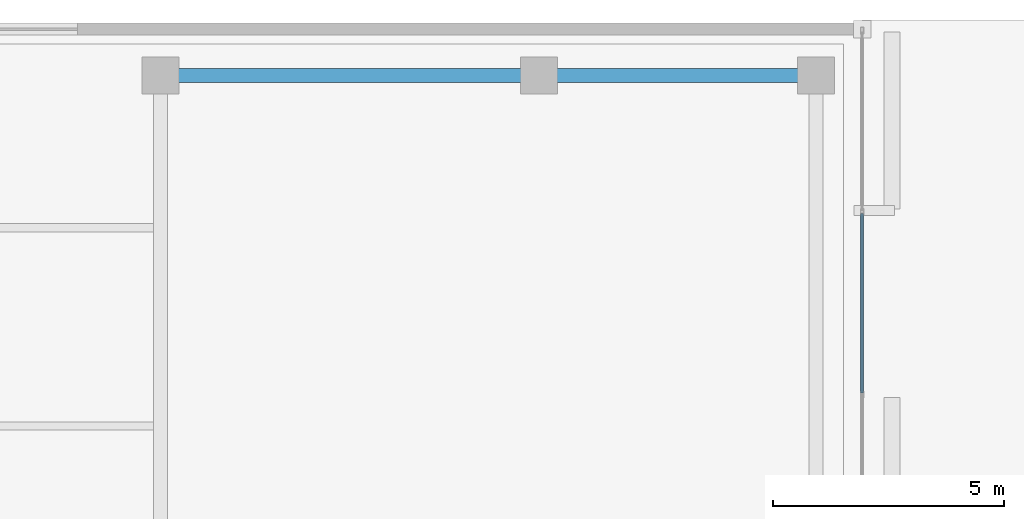
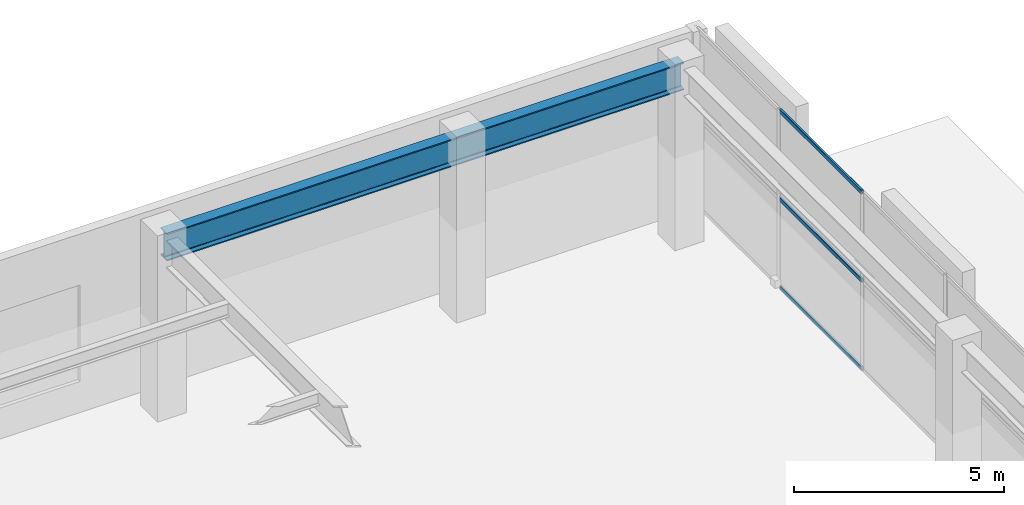
# One storey, part 3 of 16: 3 members, 1 beam, 1 element without a shape of its own.
"""IFC4 building model written with IfcOpenShell, lengths in metres."""

from ifc_helpers import new_model, si_unit, direction, frame, origin, origin_2d, place, context, subcontext, project, spatial, hollow_rectangle, i_section, extrude, material, layer, layer_set, material_profile, profile_set, type_object, element, aggregate, save


model = new_model("IFC4")

# Units and contexts
model_context = context("Model", 3, precision=1e-05, world=origin(), true_north=direction((0.0, 1.0)))
body_context = subcontext(model_context, "Body", "Model", "MODEL_VIEW")
ifc_project = project(units=[si_unit("LENGTHUNIT", "METRE"), si_unit("AREAUNIT", "SQUARE_METRE"), si_unit("VOLUMEUNIT", "CUBIC_METRE"), si_unit("PLANEANGLEUNIT", "RADIAN"), si_unit("MASSUNIT", "GRAM", prefix="KILO")], contexts=[model_context])

# Site, building, storey
site_placement = place(None, origin())
site = spatial("IfcSite", under=ifc_project, at=site_placement, CompositionType="ELEMENT")
building_placement = place(site_placement, origin())
building = spatial("IfcBuilding", under=site, at=building_placement, Name="An Khanh Terracotta Commons", CompositionType="ELEMENT")
storey_placement = place(building_placement, origin())
storey = spatial("IfcBuildingStorey", under=building, at=storey_placement, Name="L01", CompositionType="ELEMENT", Elevation=0.0)

# Beam
ifc_material_1 = material(Name="Steel S355J2", Category="steel")
ifc_material_profile_1 = material_profile(ifc_material_1, i_section(OverallWidth=0.300048828125, OverallDepth=0.800048828125, WebThickness=0.017578125, FlangeThickness=0.032958984375, FilletRadius=0.030029296875, at=origin_2d()), Name="HEB800")
ifc_profile_set_1 = profile_set([ifc_material_profile_1], Name="Steel S355J2")
beam_type = type_object("IfcBeamType", Name="BM-HEB800", PredefinedType="BEAM", material=ifc_profile_set_1)
beam_placement = place(storey_placement, frame((58.60009765625, 46.800048828125, 4.780029296875), z_axis=(1.0, 0.0, 0.0), x_axis=(0.0, 1.0, 0.0)))
element("IfcBeam", 1, at=beam_placement, inside=storey, type_object=beam_type, Name="L01 Primary Podium Girder 14", PredefinedType="BEAM", context=body_context, shape_type="SweptSolid", body=[
    extrude(i_section(OverallWidth=0.300048828125, OverallDepth=0.800048828125, WebThickness=0.017578125, FlangeThickness=0.032958984375, FilletRadius=0.030029296875, at=origin_2d()), origin(), (0.0, 0.0, 1.0), 14.199951171875),
])

# Curtain wall, members
ifc_material_2 = material(Name="Anodised Aluminium 6063-T6", Category="aluminium")
ifc_layer = layer(ifc_material_2, 0.179931640625, Name="Anodised Aluminium 6063-T6")
ifc_layer_set = layer_set([ifc_layer], Name="Anodised Aluminium 6063-T6")
curtain_wall_type = type_object("IfcCurtainWallType", Name="CW-SYS-01", PredefinedType="USERDEFINED", material=ifc_layer_set)
curtain_wall_placement = place(storey_placement, origin())
curtain_wall = element("IfcCurtainWall", 2, at=curtain_wall_placement, inside=storey, type_object=curtain_wall_type, Name="L01 CW-01 Unitised Curtain Wall CW-L01-EAST", ObjectType="UNITISED CURTAIN WALL", PredefinedType="USERDEFINED")
ifc_material_profile_2 = material_profile(ifc_material_2, hollow_rectangle(XDim=0.06005859375, YDim=0.1201171875, WallThickness=0.003662109375, InnerFilletRadius=0.003662109375, OuterFilletRadius=0.007080078125, at=origin_2d()), Name="RHS120x60x3.6")
ifc_profile_set_2 = profile_set([ifc_material_profile_2], Name="Anodised Aluminium 6063-T6")
member_type = type_object("IfcMemberType", Name="CWT-RHS120x60x3.6", PredefinedType="USERDEFINED", material=ifc_profile_set_2)
member_1_placement = place(storey_placement, frame((73.800048828125, 39.91259765625, 0.030029296875), z_axis=(0.0, 1.0, 0.0), x_axis=(-1.0, 0.0, 0.0)))
member_1 = element("IfcMember", 3, at=member_1_placement, type_object=member_type, Name="CW-01 transom 4.1", ObjectType="TRANSOM", PredefinedType="USERDEFINED", context=body_context, shape_type="SweptSolid", body=[
    extrude(hollow_rectangle(XDim=0.06005859375, YDim=0.1201171875, WallThickness=0.003662109375, InnerFilletRadius=0.003662109375, OuterFilletRadius=0.007080078125, at=origin_2d()), origin(), (0.0, 0.0, 1.0), 3.89501953125),
])
member_2_placement = place(storey_placement, frame((73.800048828125, 39.91259765625, 2.590087890625), z_axis=(0.0, 1.0, 0.0), x_axis=(-1.0, 0.0, 0.0)))
member_2 = element("IfcMember", 4, at=member_2_placement, type_object=member_type, Name="CW-01 transom 4.2", ObjectType="TRANSOM", PredefinedType="USERDEFINED", context=body_context, shape_type="SweptSolid", body=[
    extrude(hollow_rectangle(XDim=0.06005859375, YDim=0.1201171875, WallThickness=0.003662109375, InnerFilletRadius=0.003662109375, OuterFilletRadius=0.007080078125, at=origin_2d()), origin(), (0.0, 0.0, 1.0), 3.89501953125),
])
member_3_placement = place(storey_placement, frame((73.800048828125, 39.91259765625, 5.14990234375), z_axis=(0.0, 1.0, 0.0), x_axis=(-1.0, 0.0, 0.0)))
member_3 = element("IfcMember", 5, at=member_3_placement, type_object=member_type, Name="CW-01 transom 4.3", ObjectType="TRANSOM", PredefinedType="USERDEFINED", context=body_context, shape_type="SweptSolid", body=[
    extrude(hollow_rectangle(XDim=0.06005859375, YDim=0.1201171875, WallThickness=0.003662109375, InnerFilletRadius=0.003662109375, OuterFilletRadius=0.007080078125, at=origin_2d()), origin(), (0.0, 0.0, 1.0), 3.89501953125),
])
aggregate(curtain_wall, [member_1, member_2, member_3])

save(model, "model.ifc")
